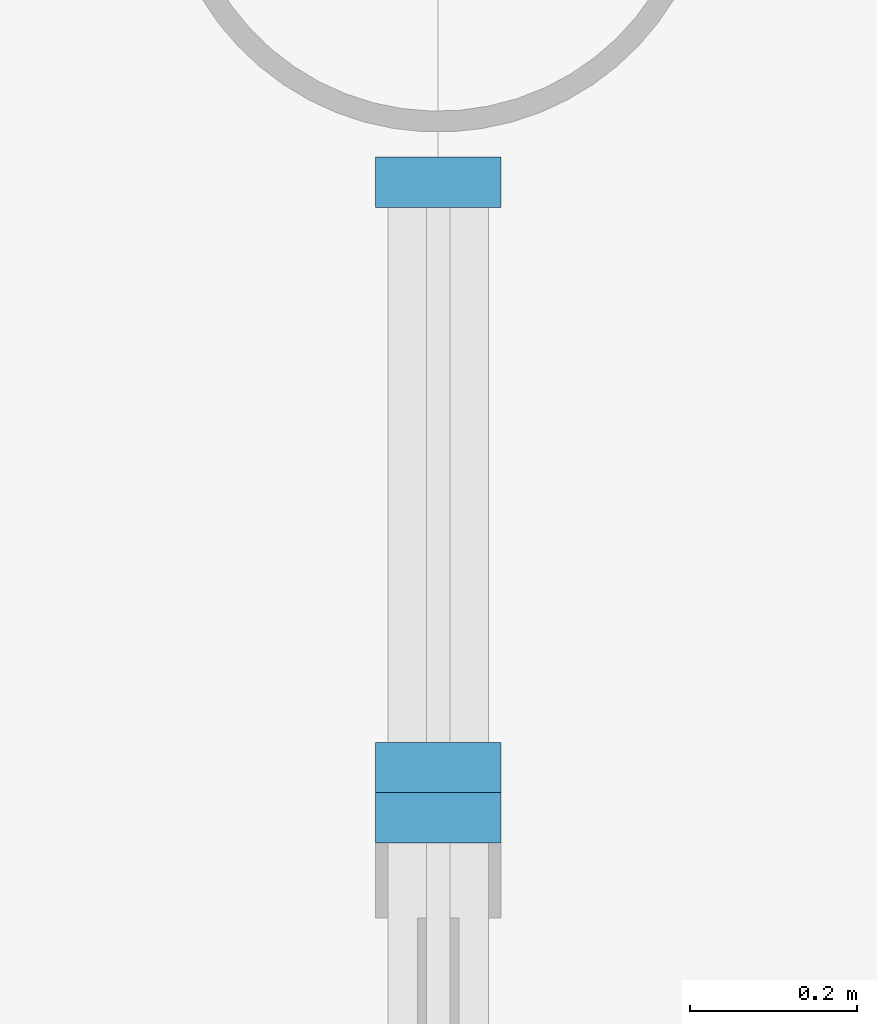
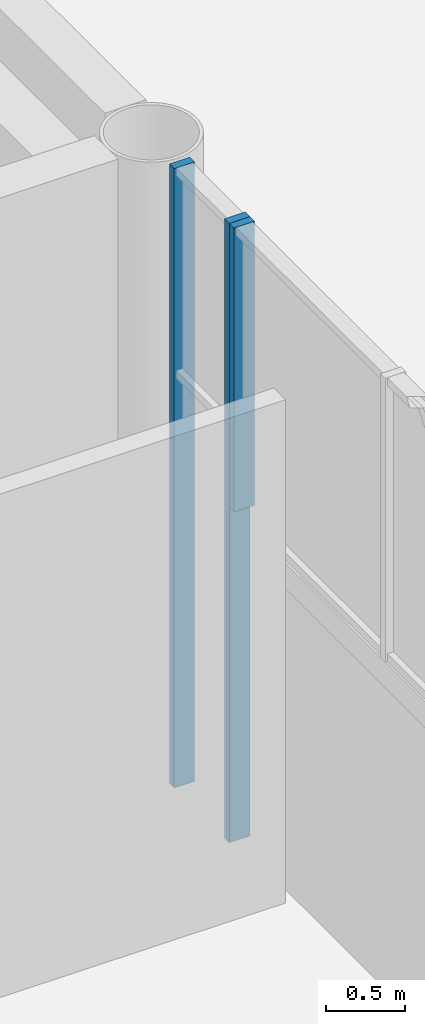
# One storey, part 24 of 91: 3 members, 2 elements without a shape of their own.
"""IFC4 building model written with IfcOpenShell, lengths in metres."""

from ifc_helpers import new_model, si_unit, direction, frame, origin, origin_2d, place, context, subcontext, project, spatial, rectangle, extrude, material, layer, layer_set, material_profile, profile_set, type_object, element, aggregate, save


model = new_model("IFC4")

# Units and contexts
model_context = context("Model", 3, precision=1e-05, world=origin(), true_north=direction((0.0, 1.0)))
body_context = subcontext(model_context, "Body", "Model", "MODEL_VIEW")
ifc_project = project(units=[si_unit("LENGTHUNIT", "METRE"), si_unit("AREAUNIT", "SQUARE_METRE"), si_unit("VOLUMEUNIT", "CUBIC_METRE"), si_unit("PLANEANGLEUNIT", "RADIAN"), si_unit("MASSUNIT", "GRAM", prefix="KILO")], contexts=[model_context])

# Site, building, storey
site_placement = place(None, origin())
site = spatial("IfcSite", under=ifc_project, at=site_placement, CompositionType="ELEMENT")
building_placement = place(site_placement, origin())
building = spatial("IfcBuilding", under=site, at=building_placement, Name="Magnolia Steps Interchange", CompositionType="ELEMENT")
storey_placement = place(building_placement, origin())
storey = spatial("IfcBuildingStorey", under=building, at=storey_placement, Name="L00", CompositionType="ELEMENT", Elevation=0.0)

# Curtain wall, member
ifc_material_1 = material(Name="Powder-coated aluminium and glass", Category="aluminium")
ifc_layer = layer(ifc_material_1, 0.14990234375)
ifc_layer_set = layer_set([ifc_layer], Name="Glazed hall curtain wall")
curtain_wall_type = type_object("IfcCurtainWallType", Name="Glazed hall curtain wall", PredefinedType="NOTDEFINED", material=ifc_layer_set)
curtain_wall_1_placement = place(storey_placement, origin())
curtain_wall_1 = element("IfcCurtainWall", 1, at=curtain_wall_1_placement, inside=storey, type_object=curtain_wall_type, Name="Hall entrance fanlight E3-2", PredefinedType="NOTDEFINED")
ifc_material_2 = material(Name="White powder-coated aluminium", Category="aluminium")
ifc_material_profile = material_profile(ifc_material_2, rectangle(XDim=0.06005859375, YDim=0.14990234375, at=origin_2d()), Name="Aluminium mullion 60 x 150")
ifc_profile_set = profile_set([ifc_material_profile], Name="White powder-coated aluminium")
member_type = type_object("IfcMemberType", Name="Aluminium mullion 60 x 150", PredefinedType="MULLION", material=ifc_profile_set)
member_1_placement = place(storey_placement, frame((118.0, 73.64990234375, 2.60009765625), z_axis=(0.0, 0.0, 1.0), x_axis=(0.0, 1.0, 0.0)))
member_1 = element("IfcMember", 2, at=member_1_placement, type_object=member_type, Name="CW1 mullion 3", PredefinedType="MULLION", context=body_context, shape_type="SweptSolid", body=[
    extrude(rectangle(XDim=0.06005859375, YDim=0.14990234375, at=origin_2d()), origin(), (0.0, 0.0, 1.0), 2.199951171875),
])
aggregate(curtain_wall_1, [member_1])

# Curtain wall, members
curtain_wall_2_placement = place(storey_placement, origin())
curtain_wall_2 = element("IfcCurtainWall", 3, at=curtain_wall_2_placement, inside=storey, type_object=curtain_wall_type, Name="Hall glazing E3z L00", PredefinedType="NOTDEFINED")
member_2_placement = place(storey_placement, frame((118.0, 73.7099609375, 0.0), z_axis=(0.0, 0.0, 1.0), x_axis=(0.0, 1.0, 0.0)))
member_2 = element("IfcMember", 4, at=member_2_placement, type_object=member_type, Name="CW1 mullion 1", PredefinedType="MULLION", context=body_context, shape_type="SweptSolid", body=[
    extrude(rectangle(XDim=0.06005859375, YDim=0.14990234375, at=origin_2d()), origin(), (0.0, 0.0, 1.0), 4.800048828125),
])
member_3_placement = place(storey_placement, frame((118.0, 74.409912109375, 0.0), z_axis=(0.0, 0.0, 1.0), x_axis=(0.0, 1.0, 0.0)))
member_3 = element("IfcMember", 5, at=member_3_placement, type_object=member_type, Name="CW1 mullion 2", PredefinedType="MULLION", context=body_context, shape_type="SweptSolid", body=[
    extrude(rectangle(XDim=0.06005859375, YDim=0.14990234375, at=origin_2d()), origin(), (0.0, 0.0, 1.0), 4.800048828125),
])
aggregate(curtain_wall_2, [member_2, member_3])

save(model, "model.ifc")
